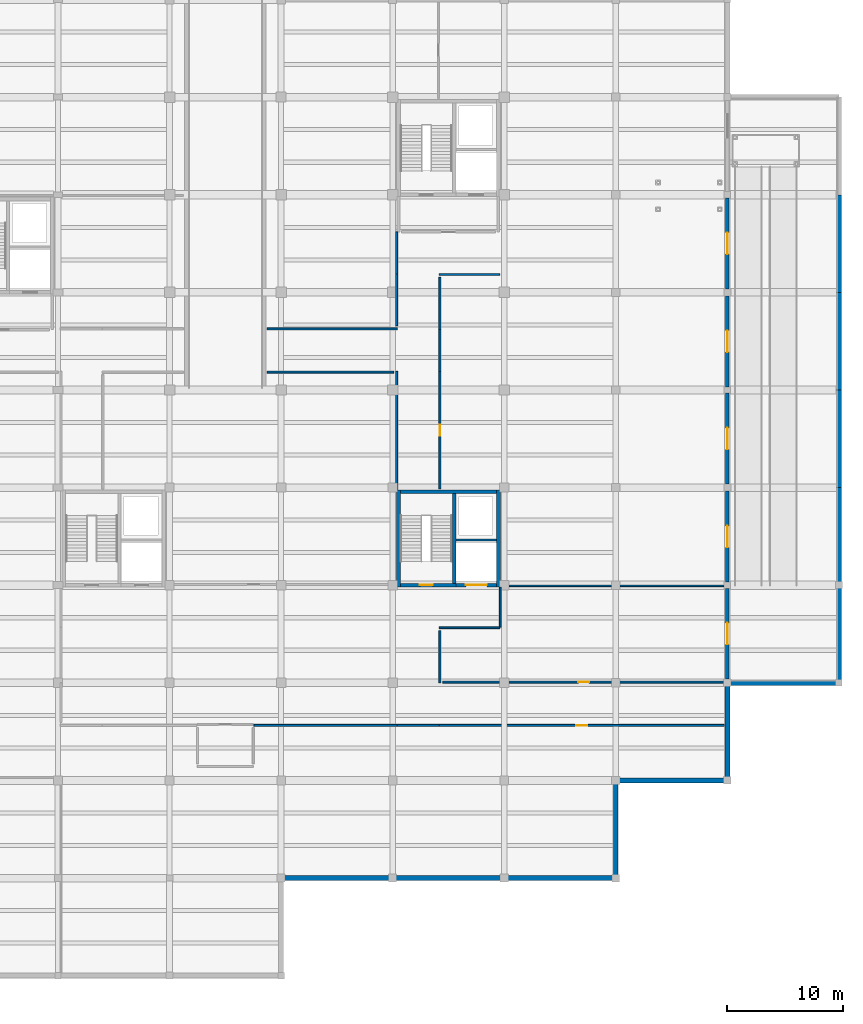
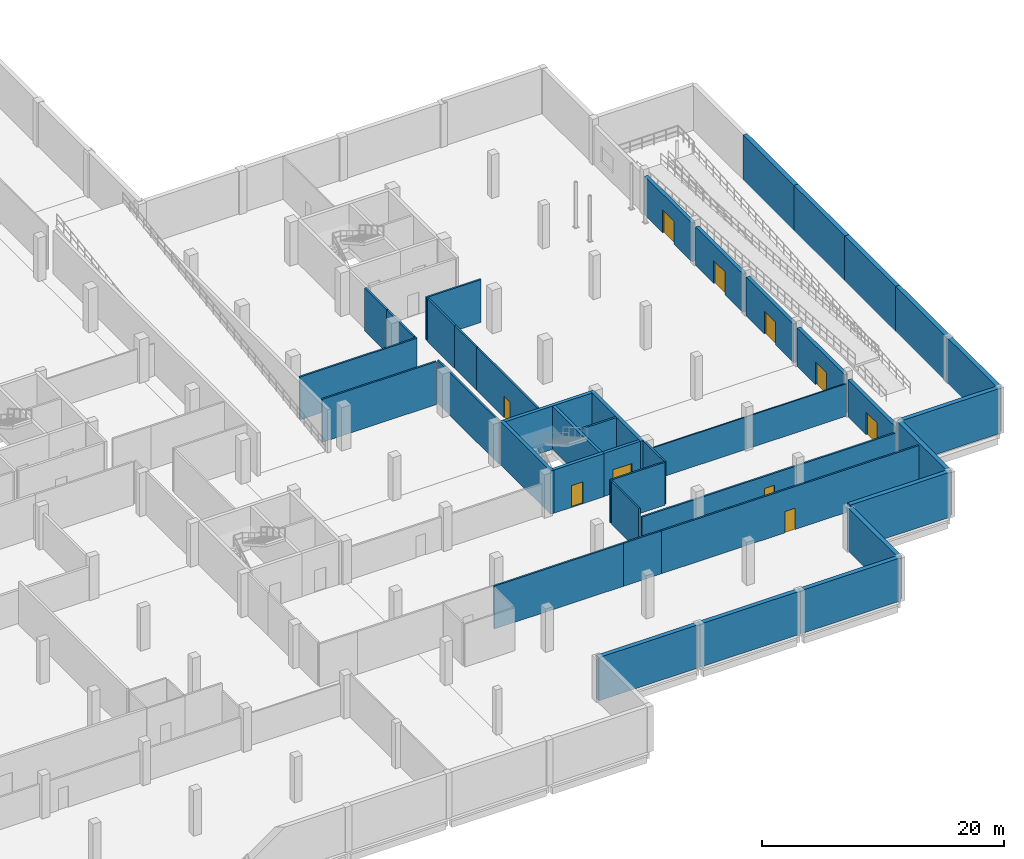
# One storey, part 23 of 30: 41 walls, 10 doors, 10 openings.
"""IFC4 building model written with IfcOpenShell, lengths in metres."""

import ifcopenshell
import ifcopenshell.guid

model = None  # the IFC model being written
_history = None  # IfcOwnerHistory: only IFC2X3 demands one
_inside = {}  # id of a spatial element -> (the spatial element, [elements in it])
_under = {}  # id of a project, library or spatial element -> (it, [spatial elements below it])
_declared = {}  # id of a project -> (the project, [libraries it declares])
_typed = {}  # id of a type object -> (the type object, [elements of that type])
_made_of = {}  # id of a material, layer set ... -> (it, [elements and type objects made of it])


def new_model(schema):
    """Start an empty IFC model of exactly this schema.

    Asked for "IFC4X3", IfcOpenShell would pick the latest addendum, in which some entities
    have other attributes; the version numbers below select the first issue.
    IFC2X3 requires an IfcOwnerHistory on every rooted entity: one is made here for all.
    """
    global model, _history
    if schema == "IFC4X3":
        model = ifcopenshell.file(schema_version=(4, 3, 0, 0))
    else:
        model = ifcopenshell.file(schema=schema)
    _inside.clear()
    _under.clear()
    _declared.clear()
    _typed.clear()
    _made_of.clear()
    _history = None
    if model.schema == "IFC2X3":
        org = make("IfcOrganization", Name="unknown")
        user = make(
            "IfcPersonAndOrganization",
            ThePerson=make("IfcPerson", FamilyName="unknown"),
            TheOrganization=org,
        )
        app = make(
            "IfcApplication",
            ApplicationDeveloper=org,
            Version="unknown",
            ApplicationFullName="unknown",
            ApplicationIdentifier="unknown",
        )
        _history = make(
            "IfcOwnerHistory",
            OwningUser=user,
            OwningApplication=app,
            ChangeAction="ADDED",
            CreationDate=0,
        )
    return model


def make(cls, **values):
    """One entity of the class cls with the attributes given. An attribute that is None is left unset."""
    return model.create_entity(
        cls, **{name: value for name, value in values.items() if value is not None}
    )


def rooted(cls, **values):
    """An entity with a GlobalId (a new one), such as an element, a storey or a relation."""
    return make(cls, GlobalId=ifcopenshell.guid.new(), OwnerHistory=_history, **values)


def si_unit(unit_type, name, prefix=None):
    """IfcSIUnit, for example si_unit("LENGTHUNIT", "METRE", prefix="MILLI")."""
    return make("IfcSIUnit", UnitType=unit_type, Prefix=prefix, Name=name)


def assignment(units):
    """IfcUnitAssignment: the units of a project."""
    return None if units is None else make("IfcUnitAssignment", Units=units)


def point(xyz):
    """IfcCartesianPoint."""
    return None if xyz is None else make("IfcCartesianPoint", Coordinates=xyz)


def direction(xyz):
    """IfcDirection."""
    return None if xyz is None else make("IfcDirection", DirectionRatios=xyz)


def frame(location, z_axis=None, x_axis=None):
    """IfcAxis2Placement3D, a coordinate frame: its origin and axes. An axis left out is left unset."""
    return make(
        "IfcAxis2Placement3D",
        Location=point(location),
        Axis=direction(z_axis),
        RefDirection=direction(x_axis),
    )


def frame_2d(location, x_axis=None):
    """IfcAxis2Placement2D, a coordinate frame in the plane: its origin and x axis."""
    return make(
        "IfcAxis2Placement2D", Location=point(location), RefDirection=direction(x_axis)
    )


def origin():
    """The frame at (0, 0, 0) with its axes left unset."""
    return frame((0.0, 0.0, 0.0))


def place(relative_to, where):
    """IfcLocalPlacement: puts the frame where relative to a parent placement (None: the world)."""
    return make(
        "IfcLocalPlacement", PlacementRelTo=relative_to, RelativePlacement=where
    )


def context(
    kind, dimensions, precision=None, world=None, true_north=None, identifier=None
):
    """IfcGeometricRepresentationContext, for example the 3D "Model" context."""
    return make(
        "IfcGeometricRepresentationContext",
        ContextIdentifier=identifier,
        ContextType=kind,
        CoordinateSpaceDimension=dimensions,
        Precision=precision,
        WorldCoordinateSystem=world,
        TrueNorth=true_north,
    )


def subcontext(parent, identifier, kind, view, scale=None):
    """IfcGeometricRepresentationSubContext, for example "Body" below "Model"."""
    return make(
        "IfcGeometricRepresentationSubContext",
        ContextIdentifier=identifier,
        ContextType=kind,
        ParentContext=parent,
        TargetScale=scale,
        TargetView=view,
    )


def project(units=None, contexts=None):
    """IfcProject with its units and contexts."""
    return rooted(
        "IfcProject",
        Name="project",
        RepresentationContexts=contexts,
        UnitsInContext=assignment(units),
    )


def spatial(cls, under=None, at=None, **own):
    """A site, building, storey or space (cls), placed at a placement, below another one or the project."""
    s = rooted(cls, ObjectPlacement=at, **own)
    if under is not None:
        _under.setdefault(under.id(), (under, []))[1].append(s)
    return s


def profile(cls, at=None, kind="AREA", **sizes):
    """A parametric profile (cls). Its sizes go by their IFC names, for example OverallWidth=200.0."""
    return make(cls, ProfileType=kind, Position=at, **sizes)


def rectangle(**sizes):
    """IfcRectangleProfileDef."""
    return profile("IfcRectangleProfileDef", **sizes)


def extrude(swept, where, along, depth):
    """IfcExtrudedAreaSolid: the profile swept, set in the frame where, extruded along a direction by depth."""
    return make(
        "IfcExtrudedAreaSolid",
        SweptArea=swept,
        Position=where,
        ExtrudedDirection=direction(along),
        Depth=depth,
    )


def shape(context_of_items, identifier, shape_type, items):
    """IfcShapeRepresentation: the items that make up one representation, for example the "Body"."""
    return make(
        "IfcShapeRepresentation",
        ContextOfItems=context_of_items,
        RepresentationIdentifier=identifier,
        RepresentationType=shape_type,
        Items=items,
    )


def material(Name=None, Category=None):
    """IfcMaterial."""
    return make("IfcMaterial", Name=Name, Category=Category)


def layer(
    of_material, thickness, ventilated=None, Name=None, Category=None, Priority=None
):
    """IfcMaterialLayer: one layer of a wall or slab, of a material (None: an air gap)."""
    return make(
        "IfcMaterialLayer",
        Material=of_material,
        LayerThickness=thickness,
        IsVentilated=ventilated,
        Name=Name,
        Category=Category,
        Priority=Priority,
    )


def layer_set(layers, Name=None):
    """IfcMaterialLayerSet."""
    return make("IfcMaterialLayerSet", MaterialLayers=layers, LayerSetName=Name)


def made_of(thing, what):
    """Note that an element or type object is made of a material, layer set ...; save() writes the relation."""
    if what is not None:
        _made_of.setdefault(what.id(), (what, []))[1].append(thing)
    return thing


def type_object(cls, material=None, **own):
    """A type object (cls), such as IfcWallType, which elements share."""
    return made_of(rooted(cls, **own), material)


def element(
    cls,
    number,
    at=None,
    inside=None,
    cuts=None,
    type_object=None,
    material=None,
    context=None,
    identifier="Body",
    shape_type=None,
    held_by="IfcProductDefinitionShape",
    body=None,
    shapes=None,
    **own,
):
    """One element of the class cls, such as IfcWall. Its Tag is "e" and its number.

    at: its placement. inside: the storey or other place that contains it. cuts: it is an
    opening in that element (IfcRelVoidsElement). A single representation is given by context,
    identifier, shape_type and body (its items); several are given by shapes. held_by: the class
    of the entity that holds the representations. save() writes the other relations.
    """
    e = rooted(cls, Tag="e%d" % number, ObjectPlacement=at, **own)
    if body is not None:
        shapes = [shape(context, identifier, shape_type, body)]
    if shapes is not None:
        e.Representation = make(held_by, Representations=shapes)
    if inside is not None:
        _inside.setdefault(inside.id(), (inside, []))[1].append(e)
    if cuts is not None:
        rooted(
            "IfcRelVoidsElement", RelatingBuildingElement=cuts, RelatedOpeningElement=e
        )
    if type_object is not None:
        _typed.setdefault(type_object.id(), (type_object, []))[1].append(e)
    return made_of(e, material)


def fill(opening, filler):
    """IfcRelFillsElement: the door or window that sits in an opening."""
    return rooted(
        "IfcRelFillsElement",
        RelatingOpeningElement=opening,
        RelatedBuildingElement=filler,
    )


def aggregate(whole, parts):
    """IfcRelAggregates: a whole, such as a stair, and the parts it consists of."""
    return rooted("IfcRelAggregates", RelatingObject=whole, RelatedObjects=parts)


def save(model, path):
    """Write the relations noted so far, then the file.

    IfcRelAggregates (storeys below a building ...), IfcRelContainedInSpatialStructure (elements
    in a storey), IfcRelDefinesByType, IfcRelAssociatesMaterial and IfcRelDeclares: one each for
    every whole, place, type object, material and project.
    """
    for whole, parts in _under.values():
        aggregate(whole, parts)
    for where, things in _inside.values():
        rooted(
            "IfcRelContainedInSpatialStructure",
            RelatedElements=things,
            RelatingStructure=where,
        )
    for kind, things in _typed.values():
        rooted("IfcRelDefinesByType", RelatedObjects=things, RelatingType=kind)
    for what, things in _made_of.values():
        rooted("IfcRelAssociatesMaterial", RelatedObjects=things, RelatingMaterial=what)
    for by, libraries in _declared.values():
        rooted("IfcRelDeclares", RelatingContext=by, RelatedDefinitions=libraries)
    model.write(path)


model = new_model("IFC4")

# Units and contexts
model_context = context("Model", 3, precision=1e-05, world=origin(), true_north=direction((0.0, 1.0)))
body_context = subcontext(model_context, "Body", "Model", "MODEL_VIEW")
ifc_project = project(units=[si_unit("LENGTHUNIT", "METRE"), si_unit("AREAUNIT", "SQUARE_METRE"), si_unit("VOLUMEUNIT", "CUBIC_METRE"), si_unit("PLANEANGLEUNIT", "RADIAN"), si_unit("MASSUNIT", "GRAM", prefix="KILO")], contexts=[model_context])

# Site, building, storey
site_placement = place(None, origin())
site = spatial("IfcSite", under=ifc_project, at=site_placement, CompositionType="ELEMENT")
building_placement = place(site_placement, origin())
building = spatial("IfcBuilding", under=site, at=building_placement, Name="Lornevale Opera House", CompositionType="ELEMENT")
storey_placement = place(building_placement, frame((0.0, 0.0, -4.800048828125)))
storey = spatial("IfcBuildingStorey", under=building, at=storey_placement, Name="B1", CompositionType="ELEMENT", Elevation=-4.800048828125)

# Wall, opening, door
ifc_material_1 = material(Name="Queenston Buff Limestone Ashlar Masonry (25 MPa)", Category="masonry")
ifc_layer_1 = layer(ifc_material_1, 0.324951171875)
ifc_layer_set_1 = layer_set([ifc_layer_1], Name="Queenston Buff Limestone Ashlar Masonry (25 MPa)")
wall_type_1 = type_object("IfcWallType", Name="Backstage Limestone Facade Wall 325", PredefinedType="SOLIDWALL", material=ifc_layer_set_1)
wall_1_placement = place(storey_placement, frame((163.199951171875, 33.324951171875, 0.0), z_axis=(0.0, 0.0, 1.0), x_axis=(0.0, -1.0, 0.0)))
wall_1 = element("IfcWall", 1, at=wall_1_placement, inside=storey, type_object=wall_type_1, Name="Backstage Limestone Facade Wall 325 WL-EXT-0129", PredefinedType="SOLIDWALL", context=body_context, shape_type="SweptSolid", body=[
    extrude(rectangle(XDim=7.800048828125, YDim=0.324951171875, at=frame_2d((3.89990234375, 0.0))), origin(), (0.0, 0.0, 1.0), 3.75),
])
opening_1_placement = place(wall_1_placement, frame((2.97509765625, 0.0, 0.0)))
opening_1 = element("IfcOpeningElement", 2, at=opening_1_placement, cuts=wall_1, Name="Opening DR-T03", PredefinedType="OPENING", context=body_context, shape_type="SweptSolid", body=[
    extrude(rectangle(XDim=1.85009765625, YDim=2.300048828125, at=frame_2d((0.925048828125, 1.14990234375))), frame((0.0, 0.17236328125, 0.0), z_axis=(0.0, -1.0, 0.0), x_axis=(1.0, 0.0, 0.0)), (0.0, 0.0, 1.0), 0.344970703125),
])
ifc_material_2 = material(Name="Anodized Oxide-Green Aluminium Framing", Category="aluminium")
ifc_layer_2 = layer(ifc_material_2, 0.050048828125)
ifc_layer_set_2 = layer_set([ifc_layer_2], Name="Anodized Oxide-Green Aluminium Framing")
door_type_1 = type_object("IfcDoorType", Name="Escarpment Terrace Double Door 1850x2300", OperationType="NOTDEFINED", PredefinedType="DOOR", material=ifc_layer_set_2)
door_1_placement = place(opening_1_placement, origin())
door_1 = element("IfcDoor", 3, at=door_1_placement, inside=storey, type_object=door_type_1, Name="Escarpment Terrace Double Door 1850x2300 DR-EXT-001", OperationType="DOUBLE_DOOR_SINGLE_SWING", OverallHeight=2.300048828125, OverallWidth=1.85009765625, PredefinedType="DOOR", context=body_context, shape_type="SweptSolid", body=[
    extrude(rectangle(XDim=1.85009765625, YDim=2.300048828125, at=frame_2d((0.925048828125, 1.14990234375))), frame((0.0, 0.02490234375, 0.0), z_axis=(0.0, -1.0, 0.0), x_axis=(1.0, 0.0, 0.0)), (0.0, 0.0, 1.0), 0.050048828125),
])
fill(opening_1, door_1)

wall_2_placement = place(storey_placement, frame((163.199951171875, 41.699951171875, 0.0), z_axis=(0.0, 0.0, 1.0), x_axis=(0.0, -1.0, 0.0)))
wall_2 = element("IfcWall", 4, at=wall_2_placement, inside=storey, type_object=wall_type_1, Name="Backstage Limestone Facade Wall 325 WL-EXT-0130", PredefinedType="SOLIDWALL", context=body_context, shape_type="SweptSolid", body=[
    extrude(rectangle(XDim=7.824951171875, YDim=0.324951171875, at=frame_2d((3.91259765625, 0.0))), origin(), (0.0, 0.0, 1.0), 3.900146484375),
])
opening_2_placement = place(wall_2_placement, frame((2.987060546875, 0.0, 0.0)))
opening_2 = element("IfcOpeningElement", 5, at=opening_2_placement, cuts=wall_2, Name="Opening DR-T03", PredefinedType="OPENING", context=body_context, shape_type="SweptSolid", body=[
    extrude(rectangle(XDim=1.85009765625, YDim=2.300048828125, at=frame_2d((0.925048828125, 1.14990234375))), frame((0.0, 0.17236328125, 0.0), z_axis=(0.0, -1.0, 0.0), x_axis=(1.0, 0.0, 0.0)), (0.0, 0.0, 1.0), 0.344970703125),
])
door_2_placement = place(opening_2_placement, origin())
door_2 = element("IfcDoor", 6, at=door_2_placement, inside=storey, type_object=door_type_1, Name="Escarpment Terrace Double Door 1850x2300 DR-EXT-002", OperationType="DOUBLE_DOOR_SINGLE_SWING", OverallHeight=2.300048828125, OverallWidth=1.85009765625, PredefinedType="DOOR", context=body_context, shape_type="SweptSolid", body=[
    extrude(rectangle(XDim=1.85009765625, YDim=2.300048828125, at=frame_2d((0.925048828125, 1.14990234375))), frame((0.0, 0.02490234375, 0.0), z_axis=(0.0, -1.0, 0.0), x_axis=(1.0, 0.0, 0.0)), (0.0, 0.0, 1.0), 0.050048828125),
])
fill(opening_2, door_2)

wall_3_placement = place(storey_placement, frame((163.199951171875, 50.125, 0.0), z_axis=(0.0, 0.0, 1.0), x_axis=(0.0, -1.0, 0.0)))
wall_3 = element("IfcWall", 7, at=wall_3_placement, inside=storey, type_object=wall_type_1, Name="Backstage Limestone Facade Wall 325 WL-EXT-0131", PredefinedType="SOLIDWALL", context=body_context, shape_type="SweptSolid", body=[
    extrude(rectangle(XDim=7.824951171875, YDim=0.324951171875, at=frame_2d((3.91259765625, 0.0))), origin(), (0.0, 0.0, 1.0), 3.900146484375),
])
opening_3_placement = place(wall_3_placement, frame((2.987060546875, 0.0, 0.0)))
opening_3 = element("IfcOpeningElement", 8, at=opening_3_placement, cuts=wall_3, Name="Opening DR-T03", PredefinedType="OPENING", context=body_context, shape_type="SweptSolid", body=[
    extrude(rectangle(XDim=1.85009765625, YDim=2.300048828125, at=frame_2d((0.925048828125, 1.14990234375))), frame((0.0, 0.17236328125, 0.0), z_axis=(0.0, -1.0, 0.0), x_axis=(1.0, 0.0, 0.0)), (0.0, 0.0, 1.0), 0.344970703125),
])
door_3_placement = place(opening_3_placement, origin())
door_3 = element("IfcDoor", 9, at=door_3_placement, inside=storey, type_object=door_type_1, Name="Escarpment Terrace Double Door 1850x2300 DR-EXT-003", OperationType="DOUBLE_DOOR_SINGLE_SWING", OverallHeight=2.300048828125, OverallWidth=1.85009765625, PredefinedType="DOOR", context=body_context, shape_type="SweptSolid", body=[
    extrude(rectangle(XDim=1.85009765625, YDim=2.300048828125, at=frame_2d((0.925048828125, 1.14990234375))), frame((0.0, 0.02490234375, 0.0), z_axis=(0.0, -1.0, 0.0), x_axis=(1.0, 0.0, 0.0)), (0.0, 0.0, 1.0), 0.050048828125),
])
fill(opening_3, door_3)

wall_4_placement = place(storey_placement, frame((163.199951171875, 58.5, 0.0), z_axis=(0.0, 0.0, 1.0), x_axis=(0.0, -1.0, 0.0)))
wall_4 = element("IfcWall", 10, at=wall_4_placement, inside=storey, type_object=wall_type_1, Name="Backstage Limestone Facade Wall 325 WL-EXT-0132", PredefinedType="SOLIDWALL", context=body_context, shape_type="SweptSolid", body=[
    extrude(rectangle(XDim=7.824951171875, YDim=0.324951171875, at=frame_2d((3.91259765625, 0.0))), origin(), (0.0, 0.0, 1.0), 3.900146484375),
])
opening_4_placement = place(wall_4_placement, frame((2.987060546875, 0.0, 0.0)))
opening_4 = element("IfcOpeningElement", 11, at=opening_4_placement, cuts=wall_4, Name="Opening DR-T03", PredefinedType="OPENING", context=body_context, shape_type="SweptSolid", body=[
    extrude(rectangle(XDim=1.85009765625, YDim=2.300048828125, at=frame_2d((0.925048828125, 1.14990234375))), frame((0.0, 0.17236328125, 0.0), z_axis=(0.0, -1.0, 0.0), x_axis=(1.0, 0.0, 0.0)), (0.0, 0.0, 1.0), 0.344970703125),
])
door_4_placement = place(opening_4_placement, origin())
door_4 = element("IfcDoor", 12, at=door_4_placement, inside=storey, type_object=door_type_1, Name="Escarpment Terrace Double Door 1850x2300 DR-EXT-004", OperationType="DOUBLE_DOOR_SINGLE_SWING", OverallHeight=2.300048828125, OverallWidth=1.85009765625, PredefinedType="DOOR", context=body_context, shape_type="SweptSolid", body=[
    extrude(rectangle(XDim=1.85009765625, YDim=2.300048828125, at=frame_2d((0.925048828125, 1.14990234375))), frame((0.0, 0.02490234375, 0.0), z_axis=(0.0, -1.0, 0.0), x_axis=(1.0, 0.0, 0.0)), (0.0, 0.0, 1.0), 0.050048828125),
])
fill(opening_4, door_4)

wall_5_placement = place(storey_placement, frame((163.199951171875, 66.925048828125, 0.0), z_axis=(0.0, 0.0, 1.0), x_axis=(0.0, -1.0, 0.0)))
wall_5 = element("IfcWall", 13, at=wall_5_placement, inside=storey, type_object=wall_type_1, Name="Backstage Limestone Facade Wall 325 WL-EXT-0133", PredefinedType="SOLIDWALL", context=body_context, shape_type="SweptSolid", body=[
    extrude(rectangle(XDim=7.824951171875, YDim=0.324951171875, at=frame_2d((3.91259765625, 0.0))), origin(), (0.0, 0.0, 1.0), 3.900146484375),
])
opening_5_placement = place(wall_5_placement, frame((2.987060546875, 0.0, 0.0)))
opening_5 = element("IfcOpeningElement", 14, at=opening_5_placement, cuts=wall_5, Name="Opening DR-T03", PredefinedType="OPENING", context=body_context, shape_type="SweptSolid", body=[
    extrude(rectangle(XDim=1.85009765625, YDim=2.300048828125, at=frame_2d((0.925048828125, 1.14990234375))), frame((0.0, 0.17236328125, 0.0), z_axis=(0.0, -1.0, 0.0), x_axis=(1.0, 0.0, 0.0)), (0.0, 0.0, 1.0), 0.344970703125),
])
door_5_placement = place(opening_5_placement, origin())
door_5 = element("IfcDoor", 15, at=door_5_placement, inside=storey, type_object=door_type_1, Name="Escarpment Terrace Double Door 1850x2300 DR-EXT-005", OperationType="DOUBLE_DOOR_SINGLE_SWING", OverallHeight=2.300048828125, OverallWidth=1.85009765625, PredefinedType="DOOR", context=body_context, shape_type="SweptSolid", body=[
    extrude(rectangle(XDim=1.85009765625, YDim=2.300048828125, at=frame_2d((0.925048828125, 1.14990234375))), frame((0.0, 0.02490234375, 0.0), z_axis=(0.0, -1.0, 0.0), x_axis=(1.0, 0.0, 0.0)), (0.0, 0.0, 1.0), 0.050048828125),
])
fill(opening_5, door_5)

# Walls
ifc_material_3 = material(Name="Concrete 40 MPa (CSA A23.1 C-1)", Category="concrete")
ifc_layer_3 = layer(ifc_material_3, 0.419921875)
ifc_layer_set_3 = layer_set([ifc_layer_3], Name="Concrete 40 MPa (CSA A23.1 C-1)")
wall_type_2 = type_object("IfcWallType", Name="Basement Retaining Wall 420", PredefinedType="USERDEFINED", material=ifc_layer_set_3)
wall_6_placement = place(storey_placement, frame((134.39990234375, 8.39990234375, 0.0), z_axis=(0.0, 0.0, 1.0), x_axis=(-1.0, 0.0, 0.0)))
element("IfcWall", 16, at=wall_6_placement, inside=storey, type_object=wall_type_2, Name="Basement Escarpment Plinth Wall WL-EXT-0110", ObjectType="RETAINING WALL", PredefinedType="USERDEFINED", context=body_context, shape_type="SweptSolid", body=[
    extrude(rectangle(XDim=9.599853515625, YDim=0.419921875, at=frame_2d((4.7998046875, 0.0))), origin(), (0.0, 0.0, 1.0), 4.360107421875),
])
for number, where, z_axis, x_axis, name in (
    (17, (144.0, 8.39990234375, 0.0), (0.0, 0.0, 1.0), (-1.0, 0.0, 0.0), "Basement Escarpment Plinth Wall WL-EXT-0112"),
    (18, (153.60009765625, 8.39990234375, 0.0), (0.0, 0.0, 1.0), (-1.0, 0.0, 0.0), "Basement Escarpment Plinth Wall WL-EXT-0114"),
):
    element("IfcWall", number, at=place(storey_placement, frame(where, z_axis=z_axis, x_axis=x_axis)), inside=storey, type_object=wall_type_2, Name=name, ObjectType="RETAINING WALL", PredefinedType="USERDEFINED", context=body_context, shape_type="SweptSolid", body=[
        extrude(rectangle(XDim=9.60009765625, YDim=0.419921875, at=frame_2d((4.800048828125, 0.0))), origin(), (0.0, 0.0, 1.0), 4.360107421875),
    ])
wall_7_placement = place(storey_placement, frame((153.60009765625, 16.800048828125, 0.0), z_axis=(0.0, 0.0, 1.0), x_axis=(0.0, -1.0, 0.0)))
element("IfcWall", 19, at=wall_7_placement, inside=storey, type_object=wall_type_2, Name="Basement Escarpment Plinth Wall WL-EXT-0115", ObjectType="RETAINING WALL", PredefinedType="USERDEFINED", context=body_context, shape_type="SweptSolid", body=[
    extrude(rectangle(XDim=8.400146484375, YDim=0.419921875, at=frame_2d((4.2001953125, 0.0))), origin(), (0.0, 0.0, 1.0), 4.360107421875),
])
wall_8_placement = place(storey_placement, frame((163.199951171875, 16.800048828125, 0.0), z_axis=(0.0, 0.0, 1.0), x_axis=(-1.0, 0.0, 0.0)))
element("IfcWall", 20, at=wall_8_placement, inside=storey, type_object=wall_type_2, Name="Basement Escarpment Plinth Wall WL-EXT-0117", ObjectType="RETAINING WALL", PredefinedType="USERDEFINED", context=body_context, shape_type="SweptSolid", body=[
    extrude(rectangle(XDim=9.599853515625, YDim=0.419921875, at=frame_2d((4.7998046875, 0.0))), origin(), (0.0, 0.0, 1.0), 4.550048828125),
])
wall_9_placement = place(storey_placement, frame((163.199951171875, 25.199951171875, 0.0), z_axis=(0.0, 0.0, 1.0), x_axis=(0.0, -1.0, 0.0)))
element("IfcWall", 21, at=wall_9_placement, inside=storey, type_object=wall_type_2, Name="Basement Escarpment Plinth Wall WL-EXT-0118", ObjectType="RETAINING WALL", PredefinedType="USERDEFINED", context=body_context, shape_type="SweptSolid", body=[
    extrude(rectangle(XDim=8.39990234375, YDim=0.419921875, at=frame_2d((4.199951171875, 0.0))), origin(), (0.0, 0.0, 1.0), 4.550048828125),
])
wall_10_placement = place(storey_placement, frame((172.800048828125, 25.199951171875, 0.0), z_axis=(0.0, 0.0, 1.0), x_axis=(-1.0, 0.0, 0.0)))
element("IfcWall", 22, at=wall_10_placement, inside=storey, type_object=wall_type_2, Name="Basement Escarpment Plinth Wall WL-EXT-0121", ObjectType="RETAINING WALL", PredefinedType="USERDEFINED", context=body_context, shape_type="SweptSolid", body=[
    extrude(rectangle(XDim=9.60009765625, YDim=0.419921875, at=frame_2d((4.800048828125, 0.0))), origin(), (0.0, 0.0, 1.0), 4.550048828125),
])
wall_11_placement = place(storey_placement, frame((172.800048828125, 33.60009765625, 0.0), z_axis=(0.0, 0.0, 1.0), x_axis=(0.0, -1.0, 0.0)))
element("IfcWall", 23, at=wall_11_placement, inside=storey, type_object=wall_type_2, Name="Basement Escarpment Plinth Wall WL-EXT-0122", ObjectType="RETAINING WALL", PredefinedType="USERDEFINED", context=body_context, shape_type="SweptSolid", body=[
    extrude(rectangle(XDim=8.400146484375, YDim=0.419921875, at=frame_2d((4.2001953125, 0.0))), origin(), (0.0, 0.0, 1.0), 4.550048828125),
])
for number, where, z_axis, x_axis, name in (
    (24, (172.800048828125, 42.0, 0.0), (0.0, 0.0, 1.0), (0.0, -1.0, 0.0), "Basement Escarpment Plinth Wall WL-EXT-0123"),
    (25, (172.800048828125, 50.39990234375, 0.0), (0.0, 0.0, 1.0), (0.0, -1.0, 0.0), "Basement Escarpment Plinth Wall WL-EXT-0124"),
):
    element("IfcWall", number, at=place(storey_placement, frame(where, z_axis=z_axis, x_axis=x_axis)), inside=storey, type_object=wall_type_2, Name=name, ObjectType="RETAINING WALL", PredefinedType="USERDEFINED", context=body_context, shape_type="SweptSolid", body=[
        extrude(rectangle(XDim=8.39990234375, YDim=0.419921875, at=frame_2d((4.199951171875, 0.0))), origin(), (0.0, 0.0, 1.0), 4.550048828125),
    ])
wall_12_placement = place(storey_placement, frame((172.800048828125, 58.800048828125, 0.0), z_axis=(0.0, 0.0, 1.0), x_axis=(0.0, -1.0, 0.0)))
element("IfcWall", 26, at=wall_12_placement, inside=storey, type_object=wall_type_2, Name="Basement Escarpment Plinth Wall WL-EXT-0125", ObjectType="RETAINING WALL", PredefinedType="USERDEFINED", context=body_context, shape_type="SweptSolid", body=[
    extrude(rectangle(XDim=8.400146484375, YDim=0.419921875, at=frame_2d((4.2001953125, 0.0))), origin(), (0.0, 0.0, 1.0), 4.550048828125),
])
wall_13_placement = place(storey_placement, frame((172.800048828125, 67.199951171875, 0.0), z_axis=(0.0, 0.0, 1.0), x_axis=(0.0, -1.0, 0.0)))
element("IfcWall", 27, at=wall_13_placement, inside=storey, type_object=wall_type_2, Name="Basement Escarpment Plinth Wall WL-EXT-0126", ObjectType="RETAINING WALL", PredefinedType="USERDEFINED", context=body_context, shape_type="SweptSolid", body=[
    extrude(rectangle(XDim=8.39990234375, YDim=0.419921875, at=frame_2d((4.199951171875, 0.0))), origin(), (0.0, 0.0, 1.0), 4.550048828125),
])

# Wall, opening, door
ifc_layer_4 = layer(ifc_material_3, 0.320068359375)
ifc_layer_set_4 = layer_set([ifc_layer_4], Name="Concrete 40 MPa (CSA A23.1 C-1)")
wall_type_3 = type_object("IfcWallType", Name="Core Shear Wall 320", PredefinedType="SHEAR", material=ifc_layer_set_4)
wall_14_placement = place(storey_placement, frame((135.06005859375, 33.60009765625, 0.0), z_axis=(0.0, 0.0, 1.0), x_axis=(1.0, 0.0, 0.0)))
wall_14 = element("IfcWall", 28, at=wall_14_placement, inside=storey, type_object=wall_type_3, Name="Backstage Service Lift Core Core Shear Wall 320 WL-COR-0324", PredefinedType="SHEAR", context=body_context, shape_type="SweptSolid", body=[
    extrude(rectangle(XDim=4.780029296875, YDim=0.320068359375, at=frame_2d((2.39013671875, 0.0))), origin(), (0.0, 0.0, 1.0), 4.360107421875),
])
opening_6_placement = place(wall_14_placement, frame((1.68994140625, 0.0, 0.0)))
opening_6 = element("IfcOpeningElement", 29, at=opening_6_placement, cuts=wall_14, Name="Opening DR-T11", PredefinedType="OPENING", context=body_context, shape_type="SweptSolid", body=[
    extrude(rectangle(XDim=1.10009765625, YDim=2.199951171875, at=frame_2d((0.550048828125, 1.10009765625))), frame((0.0, 0.169921875, 0.0), z_axis=(0.0, -1.0, 0.0), x_axis=(1.0, 0.0, 0.0)), (0.0, 0.0, 1.0), 0.340087890625),
])
ifc_material_4 = material(Name="Painted Hollow Metal Door Steel", Category="steel")
ifc_layer_5 = layer(ifc_material_4, 2.199951171875)
ifc_layer_set_5 = layer_set([ifc_layer_5], Name="Painted Hollow Metal Door Steel")
door_type_2 = type_object("IfcDoorType", Name="Protected Exit Stair Door R 1100x2200", OperationType="NOTDEFINED", PredefinedType="DOOR", material=ifc_layer_set_5)
door_6_placement = place(opening_6_placement, origin())
door_6 = element("IfcDoor", 30, at=door_6_placement, inside=storey, type_object=door_type_2, Name="C8 Stair Door B1", OperationType="SINGLE_SWING_RIGHT", OverallHeight=2.199951171875, OverallWidth=1.10009765625, PredefinedType="DOOR", context=body_context, shape_type="SweptSolid", body=[
    extrude(rectangle(XDim=1.10009765625, YDim=2.199951171875, at=frame_2d((0.550048828125, 1.10009765625))), frame((0.0, 0.02490234375, 0.0), z_axis=(0.0, -1.0, 0.0), x_axis=(1.0, 0.0, 0.0)), (0.0, 0.0, 1.0), 0.050048828125),
])
fill(opening_6, door_6)

# Walls
wall_15_placement = place(storey_placement, frame((143.340087890625, 41.639892578125, 0.0), z_axis=(0.0, 0.0, 1.0), x_axis=(-1.0, 0.0, 0.0)))
element("IfcWall", 31, at=wall_15_placement, inside=storey, type_object=wall_type_3, Name="Backstage Service Lift Core Core Shear Wall 320 WL-COR-0326", PredefinedType="SHEAR", context=body_context, shape_type="SweptSolid", body=[
    extrude(rectangle(XDim=8.280029296875, YDim=0.320068359375, at=frame_2d((4.14013671875, 0.0))), origin(), (0.0, 0.0, 1.0), 4.360107421875),
])
for number, where, z_axis, x_axis, name in (
    (32, (134.89990234375, 41.800048828125, 0.0), (0.0, 0.0, 1.0), (0.0, -1.0, 0.0), "Backstage Service Lift Core Core Shear Wall 320 WL-COR-0327"),
    (33, (143.5, 33.43994140625, 0.0), (0.0, 0.0, 1.0), (0.0, 1.0, 0.0), "Backstage Service Lift Core Core Shear Wall 320 WL-COR-0328"),
):
    element("IfcWall", number, at=place(storey_placement, frame(where, z_axis=z_axis, x_axis=x_axis)), inside=storey, type_object=wall_type_3, Name=name, PredefinedType="SHEAR", context=body_context, shape_type="SweptSolid", body=[
        extrude(rectangle(XDim=8.360107421875, YDim=0.320068359375, at=frame_2d((4.18017578125, 0.0))), origin(), (0.0, 0.0, 1.0), 4.360107421875),
    ])
ifc_material_5 = material(Name="Acoustic Mineral-Core Gypsum Partition", Category="gypsum")
ifc_layer_6 = layer(ifc_material_5, 0.1650390625)
ifc_layer_set_6 = layer_set([ifc_layer_6], Name="Acoustic Mineral-Core Gypsum Partition")
wall_type_4 = type_object("IfcWallType", Name="Corridor Rated Partition 165", PredefinedType="PARTITIONING", material=ifc_layer_set_6)
wall_16_placement = place(storey_placement, frame((138.39990234375, 60.340087890625, 0.0), z_axis=(0.0, 0.0, 1.0), x_axis=(1.0, 0.0, 0.0)))
element("IfcWall", 34, at=wall_16_placement, inside=storey, type_object=wall_type_4, Name="B1 Partition WL-INT-0591", PredefinedType="PARTITIONING", context=body_context, shape_type="SweptSolid", body=[
    extrude(rectangle(XDim=5.2001953125, YDim=0.1650390625, at=frame_2d((2.60009765625, 0.0))), origin(), (0.0, 0.0, 1.0), 4.330078125),
])
wall_17_placement = place(storey_placement, frame((138.4599609375, 55.60009765625, 0.0), z_axis=(0.0, 0.0, 1.0), x_axis=(0.0, 1.0, 0.0)))
element("IfcWall", 35, at=wall_17_placement, inside=storey, type_object=wall_type_4, Name="B1 Partition WL-INT-0592", PredefinedType="PARTITIONING", context=body_context, shape_type="SweptSolid", body=[
    extrude(rectangle(XDim=4.489990234375, YDim=0.1650390625, at=frame_2d((2.2451171875, 0.0))), origin(), (0.0, 0.0, 1.0), 4.330078125),
])
wall_18_placement = place(storey_placement, frame((138.4599609375, 52.0, 0.0), z_axis=(0.0, 0.0, 1.0), x_axis=(0.0, 1.0, 0.0)))
element("IfcWall", 36, at=wall_18_placement, inside=storey, type_object=wall_type_4, Name="B1 Partition WL-INT-0593", PredefinedType="PARTITIONING", context=body_context, shape_type="SweptSolid", body=[
    extrude(rectangle(XDim=3.60009765625, YDim=0.1650390625, at=frame_2d((1.800048828125, 0.0))), origin(), (0.0, 0.0, 1.0), 4.330078125),
])

# Wall, opening, door
wall_19_placement = place(storey_placement, frame((138.4599609375, 41.889892578125, 0.0), z_axis=(0.0, 0.0, 1.0), x_axis=(0.0, 1.0, 0.0)))
wall_19 = element("IfcWall", 37, at=wall_19_placement, inside=storey, type_object=wall_type_4, Name="B1 Partition WL-INT-0594", PredefinedType="PARTITIONING", context=body_context, shape_type="SweptSolid", body=[
    extrude(rectangle(XDim=10.110107421875, YDim=0.1650390625, at=frame_2d((5.05517578125, 0.0))), origin(), (0.0, 0.0, 1.0), 4.330078125),
])
opening_7_placement = place(wall_19_placement, frame((4.580078125, 0.0, 0.0)))
opening_7 = element("IfcOpeningElement", 38, at=opening_7_placement, cuts=wall_19, Name="Opening DR-T20", PredefinedType="OPENING", context=body_context, shape_type="SweptSolid", body=[
    extrude(rectangle(XDim=0.949951171875, YDim=2.14990234375, at=frame_2d((0.47509765625, 1.074951171875))), frame((0.0, 0.092529296875, 0.0), z_axis=(0.0, -1.0, 0.0), x_axis=(1.0, 0.0, 0.0)), (0.0, 0.0, 1.0), 0.18505859375),
])
ifc_material_6 = material(Name="White Oak Acoustic Panelling", Category="wood")
ifc_layer_7 = layer(ifc_material_6, 2.14990234375)
ifc_layer_set_7 = layer_set([ifc_layer_7], Name="White Oak Acoustic Panelling")
door_type_3 = type_object("IfcDoorType", Name="Soloist Dressing Door R 950x2150", OperationType="NOTDEFINED", PredefinedType="DOOR", material=ifc_layer_set_7)
door_7_placement = place(opening_7_placement, origin())
door_7 = element("IfcDoor", 39, at=door_7_placement, inside=storey, type_object=door_type_3, Name="Artist Green Room & Canteen Door", OperationType="SINGLE_SWING_RIGHT", OverallHeight=2.14990234375, OverallWidth=0.949951171875, PredefinedType="DOOR", context=body_context, shape_type="SweptSolid", body=[
    extrude(rectangle(XDim=0.949951171875, YDim=2.14990234375, at=frame_2d((0.47509765625, 1.074951171875))), frame((0.0, 0.02490234375, 0.0), z_axis=(0.0, -1.0, 0.0), x_axis=(1.0, 0.0, 0.0)), (0.0, 0.0, 1.0), 0.050048828125),
])
fill(opening_7, door_7)

# Walls
wall_20_placement = place(storey_placement, frame((123.60009765625, 55.659912109375, 0.0), z_axis=(0.0, 0.0, 1.0), x_axis=(1.0, 0.0, 0.0)))
element("IfcWall", 40, at=wall_20_placement, inside=storey, type_object=wall_type_4, Name="B1 Partition WL-INT-0600", PredefinedType="PARTITIONING", context=body_context, shape_type="SweptSolid", body=[
    extrude(rectangle(XDim=11.199951171875, YDim=0.1650390625, at=frame_2d((5.60009765625, 0.0))), origin(), (0.0, 0.0, 1.0), 4.330078125),
])
wall_21_placement = place(storey_placement, frame((134.739990234375, 55.909912109375, 0.0), z_axis=(0.0, 0.0, 1.0), x_axis=(0.0, 1.0, 0.0)))
element("IfcWall", 41, at=wall_21_placement, inside=storey, type_object=wall_type_4, Name="B1 Partition WL-INT-0601", PredefinedType="PARTITIONING", context=body_context, shape_type="SweptSolid", body=[
    extrude(rectangle(XDim=4.489990234375, YDim=0.1650390625, at=frame_2d((2.2451171875, 0.0))), origin(), (0.0, 0.0, 1.0), 4.330078125),
])
wall_22_placement = place(storey_placement, frame((134.739990234375, 60.39990234375, 0.0), z_axis=(0.0, 0.0, 1.0), x_axis=(0.0, 1.0, 0.0)))
element("IfcWall", 42, at=wall_22_placement, inside=storey, type_object=wall_type_4, Name="B1 Partition WL-INT-0602", PredefinedType="PARTITIONING", context=body_context, shape_type="SweptSolid", body=[
    extrude(rectangle(XDim=3.60009765625, YDim=0.1650390625, at=frame_2d((1.800048828125, 0.0))), origin(), (0.0, 0.0, 1.0), 4.330078125),
])

# Wall, opening, door
wall_23_placement = place(storey_placement, frame((138.39990234375, 21.5400390625, 0.0), z_axis=(0.0, 0.0, 1.0), x_axis=(1.0, 0.0, 0.0)))
wall_23 = element("IfcWall", 43, at=wall_23_placement, inside=storey, type_object=wall_type_4, Name="B1 Partition WL-INT-0603", PredefinedType="PARTITIONING", context=body_context, shape_type="SweptSolid", body=[
    extrude(rectangle(XDim=24.550048828125, YDim=0.1650390625, at=frame_2d((12.27490234375, 0.0))), origin(), (0.0, 0.0, 1.0), 4.330078125),
])
opening_8_placement = place(wall_23_placement, frame((11.800048828125, 0.0, 0.0)))
opening_8 = element("IfcOpeningElement", 44, at=opening_8_placement, cuts=wall_23, Name="Opening DR-T19", PredefinedType="OPENING", context=body_context, shape_type="SweptSolid", body=[
    extrude(rectangle(XDim=0.949951171875, YDim=2.14990234375, at=frame_2d((0.47509765625, 1.074951171875))), frame((0.0, 0.092529296875, 0.0), z_axis=(0.0, -1.0, 0.0), x_axis=(1.0, 0.0, 0.0)), (0.0, 0.0, 1.0), 0.18505859375),
])
ifc_layer_8 = layer(ifc_material_6, 2.14990234375)
ifc_layer_set_8 = layer_set([ifc_layer_8], Name="White Oak Acoustic Panelling")
door_type_4 = type_object("IfcDoorType", Name="Soloist Dressing Door L 950x2150", OperationType="NOTDEFINED", PredefinedType="DOOR", material=ifc_layer_set_8)
door_8_placement = place(opening_8_placement, origin())
door_8 = element("IfcDoor", 45, at=door_8_placement, inside=storey, type_object=door_type_4, Name="Orchestra Instrument & Manuscript Store Door", OperationType="SINGLE_SWING_LEFT", OverallHeight=2.14990234375, OverallWidth=0.949951171875, PredefinedType="DOOR", context=body_context, shape_type="SweptSolid", body=[
    extrude(rectangle(XDim=0.949951171875, YDim=2.14990234375, at=frame_2d((0.47509765625, 1.074951171875))), frame((0.0, 0.02490234375, 0.0), z_axis=(0.0, -1.0, 0.0), x_axis=(1.0, 0.0, 0.0)), (0.0, 0.0, 1.0), 0.050048828125),
])
fill(opening_8, door_8)

# Walls
wall_24_placement = place(storey_placement, frame((134.800048828125, 21.5400390625, 0.0), z_axis=(0.0, 0.0, 1.0), x_axis=(1.0, 0.0, 0.0)))
element("IfcWall", 46, at=wall_24_placement, inside=storey, type_object=wall_type_4, Name="B1 Partition WL-INT-0604", PredefinedType="PARTITIONING", context=body_context, shape_type="SweptSolid", body=[
    extrude(rectangle(XDim=3.599853515625, YDim=0.1650390625, at=frame_2d((1.7998046875, 0.0))), origin(), (0.0, 0.0, 1.0), 4.330078125),
])
wall_25_placement = place(storey_placement, frame((122.4599609375, 21.5400390625, 0.0), z_axis=(0.0, 0.0, 1.0), x_axis=(1.0, 0.0, 0.0)))
element("IfcWall", 47, at=wall_25_placement, inside=storey, type_object=wall_type_4, Name="B1 Partition WL-INT-0605", PredefinedType="PARTITIONING", context=body_context, shape_type="SweptSolid", body=[
    extrude(rectangle(XDim=12.340087890625, YDim=0.1650390625, at=frame_2d((6.169921875, 0.0))), origin(), (0.0, 0.0, 1.0), 4.330078125),
])
wall_26_placement = place(storey_placement, frame((134.739990234375, 41.800048828125, 0.0), z_axis=(0.0, 0.0, 1.0), x_axis=(0.0, 1.0, 0.0)))
element("IfcWall", 48, at=wall_26_placement, inside=storey, type_object=wall_type_4, Name="B1 Partition WL-INT-0625", PredefinedType="PARTITIONING", context=body_context, shape_type="SweptSolid", body=[
    extrude(rectangle(XDim=10.199951171875, YDim=0.1650390625, at=frame_2d((5.10009765625, 0.0))), origin(), (0.0, 0.0, 1.0), 4.330078125),
])
wall_27_placement = place(storey_placement, frame((123.60009765625, 51.93994140625, 0.0), z_axis=(0.0, 0.0, 1.0), x_axis=(1.0, 0.0, 0.0)))
element("IfcWall", 49, at=wall_27_placement, inside=storey, type_object=wall_type_4, Name="B1 Partition WL-INT-0626", PredefinedType="PARTITIONING", context=body_context, shape_type="SweptSolid", body=[
    extrude(rectangle(XDim=10.889892578125, YDim=0.1650390625, at=frame_2d((5.44482421875, 0.0))), origin(), (0.0, 0.0, 1.0), 4.330078125),
])
wall_28_placement = place(storey_placement, frame((143.659912109375, 30.0, 0.0), z_axis=(0.0, 0.0, 1.0), x_axis=(0.0, 1.0, 0.0)))
element("IfcWall", 50, at=wall_28_placement, inside=storey, type_object=wall_type_4, Name="B1 Partition WL-INT-0630", PredefinedType="PARTITIONING", context=body_context, shape_type="SweptSolid", body=[
    extrude(rectangle(XDim=3.43994140625, YDim=0.1650390625, at=frame_2d((1.719970703125, 0.0))), origin(), (0.0, 0.0, 1.0), 4.330078125),
])
wall_29_placement = place(storey_placement, frame((138.39990234375, 29.93994140625, 0.0), z_axis=(0.0, 0.0, 1.0), x_axis=(1.0, 0.0, 0.0)))
element("IfcWall", 51, at=wall_29_placement, inside=storey, type_object=wall_type_4, Name="B1 Partition WL-INT-0631", PredefinedType="PARTITIONING", context=body_context, shape_type="SweptSolid", body=[
    extrude(rectangle(XDim=5.2001953125, YDim=0.1650390625, at=frame_2d((2.60009765625, 0.0))), origin(), (0.0, 0.0, 1.0), 4.330078125),
])
wall_30_placement = place(storey_placement, frame((138.4599609375, 25.199951171875, 0.0), z_axis=(0.0, 0.0, 1.0), x_axis=(0.0, 1.0, 0.0)))
element("IfcWall", 52, at=wall_30_placement, inside=storey, type_object=wall_type_4, Name="B1 Partition WL-INT-0632", PredefinedType="PARTITIONING", context=body_context, shape_type="SweptSolid", body=[
    extrude(rectangle(XDim=4.489990234375, YDim=0.1650390625, at=frame_2d((2.2451171875, 0.0))), origin(), (0.0, 0.0, 1.0), 4.330078125),
])

# Wall, opening, door
wall_31_placement = place(storey_placement, frame((138.7099609375, 25.260009765625, 0.0), z_axis=(0.0, 0.0, 1.0), x_axis=(1.0, 0.0, 0.0)))
wall_31 = element("IfcWall", 53, at=wall_31_placement, inside=storey, type_object=wall_type_4, Name="B1 Partition WL-INT-0633", PredefinedType="PARTITIONING", context=body_context, shape_type="SweptSolid", body=[
    extrude(rectangle(XDim=24.27001953125, YDim=0.1650390625, at=frame_2d((12.135009765625, 0.0))), origin(), (0.0, 0.0, 1.0), 3.360107421875),
])
opening_9_placement = place(wall_31_placement, frame((11.659912109375, 0.0, 0.0)))
opening_9 = element("IfcOpeningElement", 54, at=opening_9_placement, cuts=wall_31, Name="Opening DR-T19", PredefinedType="OPENING", context=body_context, shape_type="SweptSolid", body=[
    extrude(rectangle(XDim=0.949951171875, YDim=2.14990234375, at=frame_2d((0.47509765625, 1.074951171875))), frame((0.0, 0.092529296875, 0.0), z_axis=(0.0, -1.0, 0.0), x_axis=(1.0, 0.0, 0.0)), (0.0, 0.0, 1.0), 0.18505859375),
])
door_9_placement = place(opening_9_placement, origin())
door_9 = element("IfcDoor", 55, at=door_9_placement, inside=storey, type_object=door_type_4, Name="Orchestra Instrument & Manuscript Store Door", OperationType="SINGLE_SWING_LEFT", OverallHeight=2.14990234375, OverallWidth=0.949951171875, PredefinedType="DOOR", context=body_context, shape_type="SweptSolid", body=[
    extrude(rectangle(XDim=0.949951171875, YDim=2.14990234375, at=frame_2d((0.47509765625, 1.074951171875))), frame((0.0, 0.02490234375, 0.0), z_axis=(0.0, -1.0, 0.0), x_axis=(1.0, 0.0, 0.0)), (0.0, 0.0, 1.0), 0.050048828125),
])
fill(opening_9, door_9)

# Wall
ifc_layer_9 = layer(ifc_material_5, 0.125)
ifc_layer_set_9 = layer_set([ifc_layer_9], Name="Acoustic Mineral-Core Gypsum Partition")
wall_type_5 = type_object("IfcWallType", Name="Dressing Suite Partition 125", PredefinedType="PARTITIONING", material=ifc_layer_set_9)
wall_32_placement = place(storey_placement, frame((143.75, 33.5400390625, 0.0), z_axis=(0.0, 0.0, 1.0), x_axis=(1.0, 0.0, 0.0)))
element("IfcWall", 56, at=wall_32_placement, inside=storey, type_object=wall_type_5, Name="B1 Partition WL-INT-0658", PredefinedType="PARTITIONING", context=body_context, shape_type="SweptSolid", body=[
    extrude(rectangle(XDim=19.22998046875, YDim=0.125, at=frame_2d((9.614990234375, 0.0))), origin(), (0.0, 0.0, 1.0), 3.260009765625),
])

# Wall, opening, door
ifc_layer_10 = layer(ifc_material_3, 0.280029296875)
ifc_layer_set_10 = layer_set([ifc_layer_10], Name="Concrete 40 MPa (CSA A23.1 C-1)")
wall_type_6 = type_object("IfcWallType", Name="Elevator Shaft Wall 280", PredefinedType="SHEAR", material=ifc_layer_set_10)
wall_33_placement = place(storey_placement, frame((139.840087890625, 33.60009765625, 0.0), z_axis=(0.0, 0.0, 1.0), x_axis=(1.0, 0.0, 0.0)))
wall_33 = element("IfcWall", 57, at=wall_33_placement, inside=storey, type_object=wall_type_6, Name="Backstage Service Lift Core Elevator Shaft Wall 280 WL-COR-0325", PredefinedType="SHEAR", context=body_context, shape_type="SweptSolid", body=[
    extrude(rectangle(XDim=3.5, YDim=0.280029296875, at=frame_2d((1.75, 0.0))), origin(), (0.0, 0.0, 1.0), 4.360107421875),
])
opening_10_placement = place(wall_33_placement, frame((0.860107421875, 0.0, 0.0)))
opening_10 = element("IfcOpeningElement", 58, at=opening_10_placement, cuts=wall_33, Name="Opening DR-T27", PredefinedType="OPENING", context=body_context, shape_type="SweptSolid", body=[
    extrude(rectangle(XDim=1.800048828125, YDim=2.39990234375, at=frame_2d((0.89990234375, 1.199951171875))), frame((0.0, 0.14990234375, 0.0), z_axis=(0.0, -1.0, 0.0), x_axis=(1.0, 0.0, 0.0)), (0.0, 0.0, 1.0), 0.300048828125),
])
ifc_layer_11 = layer(ifc_material_4, 2.39990234375)
ifc_layer_set_11 = layer_set([ifc_layer_11], Name="Painted Hollow Metal Door Steel")
door_type_5 = type_object("IfcDoorType", Name="Freight Lift Landing Door 1800x2400", OperationType="NOTDEFINED", PredefinedType="DOOR", material=ifc_layer_set_11)
door_10_placement = place(opening_10_placement, origin())
door_10 = element("IfcDoor", 59, at=door_10_placement, inside=storey, type_object=door_type_5, Name="L-B2 Landing Door B1", OperationType="SLIDING_TO_LEFT", OverallHeight=2.39990234375, OverallWidth=1.800048828125, PredefinedType="DOOR", context=body_context, shape_type="SweptSolid", body=[
    extrude(rectangle(XDim=1.800048828125, YDim=2.39990234375, at=frame_2d((0.89990234375, 1.199951171875))), frame((0.0, 0.02490234375, 0.0), z_axis=(0.0, -1.0, 0.0), x_axis=(1.0, 0.0, 0.0)), (0.0, 0.0, 1.0), 0.050048828125),
])
fill(opening_10, door_10)

# Walls
wall_34_placement = place(storey_placement, frame((139.699951171875, 33.760009765625, 0.0), z_axis=(0.0, 0.0, 1.0), x_axis=(0.0, 1.0, 0.0)))
element("IfcWall", 60, at=wall_34_placement, inside=storey, type_object=wall_type_6, Name="Backstage Service Lift Core Elevator Shaft Wall 280 WL-COR-0329", PredefinedType="SHEAR", context=body_context, shape_type="SweptSolid", body=[
    extrude(rectangle(XDim=7.719970703125, YDim=0.280029296875, at=frame_2d((3.85986328125, 0.0))), origin(), (0.0, 0.0, 1.0), 4.360107421875),
])
ifc_material_7 = material(Name="Moisture-Resistant Ceramic & Gypsum Partition", Category="gypsum")
ifc_layer_12 = layer(ifc_material_7, 0.179931640625)
ifc_layer_set_12 = layer_set([ifc_layer_12], Name="Moisture-Resistant Ceramic & Gypsum Partition")
wall_type_7 = type_object("IfcWallType", Name="Riser Shaft Wall 180", PredefinedType="SOLIDWALL", material=ifc_layer_set_12)
wall_35_placement = place(storey_placement, frame((139.840087890625, 37.5, 0.0), z_axis=(0.0, 0.0, 1.0), x_axis=(1.0, 0.0, 0.0)))
element("IfcWall", 61, at=wall_35_placement, inside=storey, type_object=wall_type_7, Name="Backstage Service Lift Core Riser Shaft Wall 180 WL-COR-0330", PredefinedType="SOLIDWALL", context=body_context, shape_type="SweptSolid", body=[
    extrude(rectangle(XDim=3.5, YDim=0.179931640625, at=frame_2d((1.75, 0.0))), origin(), (0.0, 0.0, 1.0), 4.360107421875),
])

save(model, "model.ifc")
